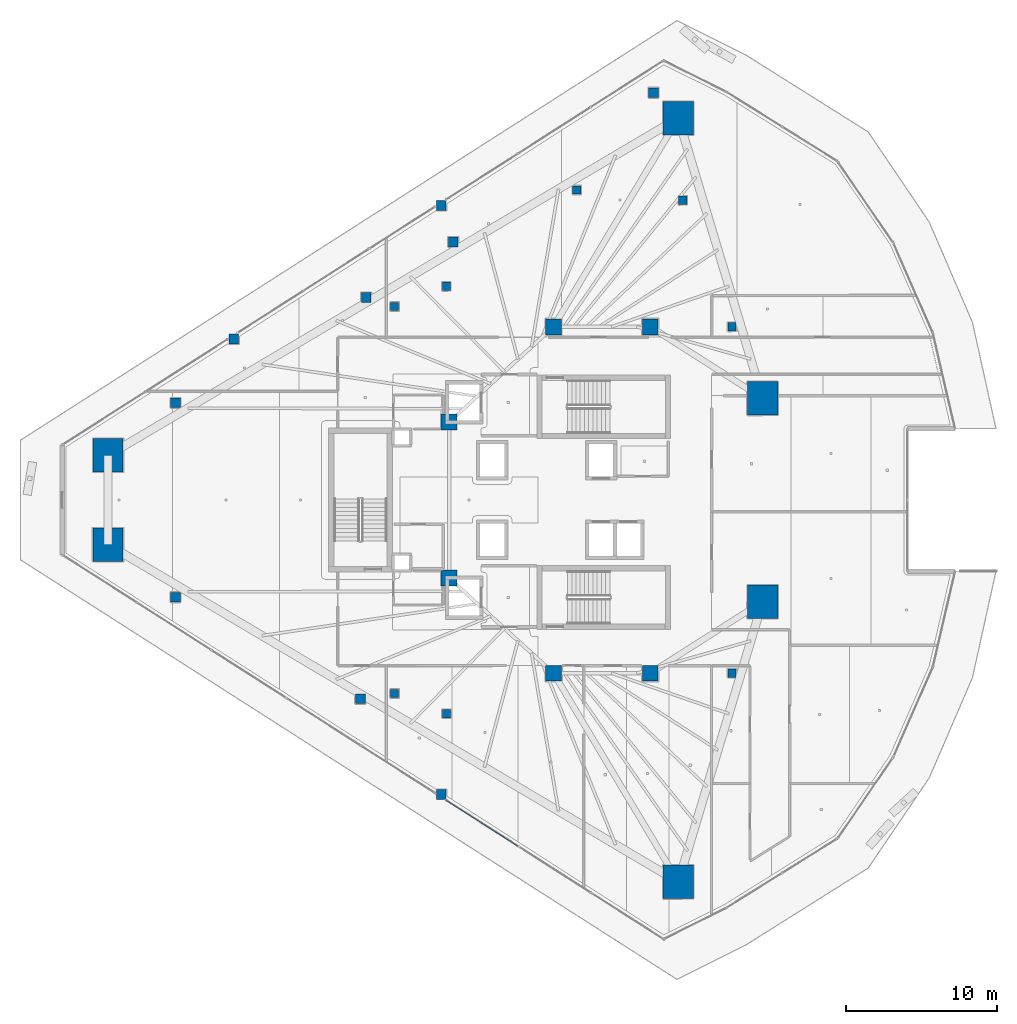
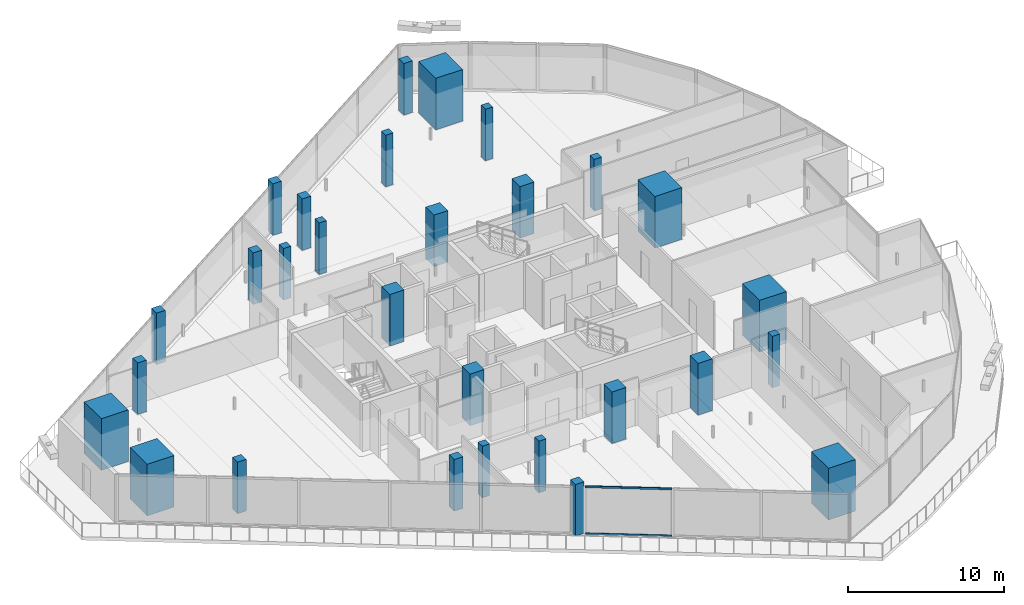
# One storey, part 1 of 36: 29 columns, 2 members, 1 element without a shape of its own.
"""IFC4 building model written with IfcOpenShell, lengths in metres."""

from ifc_helpers import new_model, si_unit, direction, frame, origin, origin_2d, place, context, subcontext, project, spatial, rectangle, hollow_rectangle, extrude, material, layer, layer_set, material_profile, profile_set, type_object, element, aggregate, save


model = new_model("IFC4")

# Units and contexts
model_context = context("Model", 3, precision=1e-05, world=origin(), true_north=direction((0.0, 1.0)))
body_context = subcontext(model_context, "Body", "Model", "MODEL_VIEW")
ifc_project = project(units=[si_unit("LENGTHUNIT", "METRE"), si_unit("AREAUNIT", "SQUARE_METRE"), si_unit("VOLUMEUNIT", "CUBIC_METRE"), si_unit("PLANEANGLEUNIT", "RADIAN"), si_unit("MASSUNIT", "GRAM", prefix="KILO")], contexts=[model_context])

# Site, building, storey
site_placement = place(None, origin())
site = spatial("IfcSite", under=ifc_project, at=site_placement, CompositionType="ELEMENT")
building_placement = place(site_placement, origin())
building = spatial("IfcBuilding", under=site, at=building_placement, Name="Qorvath Tower", CompositionType="ELEMENT")
storey_placement = place(building_placement, frame((0.0, 0.0, 170.550048828125)))
storey = spatial("IfcBuildingStorey", under=building, at=storey_placement, Name="L39", CompositionType="ELEMENT", Elevation=170.550048828125)

# Columns
ifc_material_1 = material(Name="Concrete C70/85", Category="concrete")
ifc_material_profile_1 = material_profile(ifc_material_1, rectangle(XDim=2.0, YDim=2.199951171875, at=origin_2d()), Name="MC 2200x2000")
ifc_profile_set_1 = profile_set([ifc_material_profile_1], Name="Concrete C70/85")
column_type_1 = type_object("IfcColumnType", Name="COL-MC2", PredefinedType="COLUMN", material=ifc_profile_set_1)
for number, where, z_axis, x_axis, name in (
    (1, (-53.04931640625, 2.95068359375, 0.0), (0.0, 0.0, 1.0), (1.0, 0.0, 0.0), "Composite Mega-Column MC1 L39"),
    (2, (-53.04931640625, -2.95068359375, 0.0), (0.0, 0.0, 1.0), (1.0, 0.0, 0.0), "Composite Mega-Column MC2 L39"),
    (3, (-15.34423828125, -25.24609375, 0.0), (0.0, 0.0, 1.0), (1.0, 0.0, 0.0), "Composite Mega-Column MC3 L39"),
    (4, (-9.770263671875, -6.721435546875, 0.0), (0.0, 0.0, 1.0), (1.0, 0.0, 0.0), "Composite Mega-Column MC4 L39"),
    (5, (-9.770263671875, 6.721435546875, 0.0), (0.0, 0.0, 1.0), (1.0, 0.0, 0.0), "Composite Mega-Column MC5 L39"),
    (6, (-15.34423828125, 25.24609375, 0.0), (0.0, 0.0, 1.0), (1.0, 0.0, 0.0), "Composite Mega-Column MC6 L39"),
):
    element("IfcColumn", number, at=place(storey_placement, frame(where, z_axis=z_axis, x_axis=x_axis)), inside=storey, type_object=column_type_1, Name=name, PredefinedType="COLUMN", context=body_context, shape_type="SweptSolid", body=[
        extrude(rectangle(XDim=2.0, YDim=2.199951171875, at=origin_2d()), origin(), (0.0, 0.0, 1.0), 4.050048828125),
    ])
ifc_material_2 = material(Name="Concrete C60/75", Category="concrete")
ifc_material_profile_2 = material_profile(ifc_material_2, rectangle(XDim=1.050048828125, YDim=1.050048828125, at=origin_2d()), Name="RC 1050x1050")
ifc_profile_set_2 = profile_set([ifc_material_profile_2], Name="Concrete C60/75")
column_type_2 = type_object("IfcColumnType", Name="COL-RC2", PredefinedType="COLUMN", material=ifc_profile_set_2)
for number, where, z_axis, x_axis, name in (
    (7, (-23.60009765625, 11.449951171875, 0.0), (0.0, 0.0, 1.0), (1.0, 0.0, 0.0), "Core Spine Column CC1 L39"),
    (8, (-17.199951171875, 11.449951171875, 0.0), (0.0, 0.0, 1.0), (1.0, 0.0, 0.0), "Core Spine Column CC2 L39"),
    (9, (-17.199951171875, -11.449951171875, 0.0), (0.0, 0.0, 1.0), (1.0, 0.0, 0.0), "Core Spine Column CC3 L39"),
    (10, (-23.60009765625, -11.449951171875, 0.0), (0.0, 0.0, 1.0), (1.0, 0.0, 0.0), "Core Spine Column CC4 L39"),
    (11, (-30.5, 5.14990234375, 0.0), (0.0, 0.0, 1.0), (1.0, 0.0, 0.0), "Core Spine Column CC5 L39"),
    (12, (-30.5, -5.14990234375, 0.0), (0.0, 0.0, 1.0), (1.0, 0.0, 0.0), "Core Spine Column CC6 L39"),
):
    element("IfcColumn", number, at=place(storey_placement, frame(where, z_axis=z_axis, x_axis=x_axis)), inside=storey, type_object=column_type_2, Name=name, PredefinedType="COLUMN", context=body_context, shape_type="SweptSolid", body=[
        extrude(rectangle(XDim=1.050048828125, YDim=1.050048828125, at=origin_2d()), origin(), (0.0, 0.0, 1.0), 4.050048828125),
    ])
ifc_material_3 = material(Name="Concrete C45/55", Category="concrete")
ifc_material_profile_3 = material_profile(ifc_material_3, rectangle(XDim=0.64990234375, YDim=0.64990234375, at=origin_2d()), Name="RC 650x650")
ifc_profile_set_3 = profile_set([ifc_material_profile_3], Name="Concrete C45/55")
column_type_3 = type_object("IfcColumnType", Name="COL-RC6", PredefinedType="COLUMN", material=ifc_profile_set_3)
for number, where, z_axis, x_axis, name in (
    (13, (-31.01611328125, 19.46044921875, 0.0), (0.0, 0.0, 1.0), (1.0, 0.0, 0.0), "Loggia Frame Pier Column LGD1 L39"),
    (14, (-31.01611328125, -19.46044921875, 0.0), (0.0, 0.0, 1.0), (1.0, 0.0, 0.0), "Loggia Frame Pier Column LGD2 L39"),
    (15, (-44.736328125, 10.65234375, 0.0), (0.0, 0.0, 1.0), (1.0, 0.0, 0.0), "Loggia Frame Pier Column LGD3 L39"),
    (16, (-48.578369140625, 6.424560546875, 0.0), (0.0, 0.0, 1.0), (1.0, 0.0, 0.0), "Loggia Frame Pier Column LGE1 L39"),
    (17, (-48.578369140625, -6.424560546875, 0.0), (0.0, 0.0, 1.0), (1.0, 0.0, 0.0), "Loggia Frame Pier Column LGE2 L39"),
    (18, (-16.981201171875, 26.92919921875, 0.0), (0.0, 0.0, 1.0), (1.0, 0.0, 0.0), "Loggia Frame Pier Column LGE3 L39"),
    (19, (-35.980712890625, 13.380859375, 0.0), (0.0, 0.0, 1.0), (1.0, 0.0, 0.0), "Loggia Frame Pier Column LGF1 L39"),
    (20, (-36.36474609375, -13.135498046875, 0.0), (0.0, 0.0, 1.0), (1.0, 0.0, 0.0), "Loggia Frame Pier Column LGF2 L39"),
    (21, (-30.224853515625, 17.0595703125, 0.0), (0.0, 0.0, 1.0), (1.0, 0.0, 0.0), "Loggia Frame Pier Column LGF3 L39"),
):
    element("IfcColumn", number, at=place(storey_placement, frame(where, z_axis=z_axis, x_axis=x_axis)), inside=storey, type_object=column_type_3, Name=name, PredefinedType="COLUMN", context=body_context, shape_type="SweptSolid", body=[
        extrude(rectangle(XDim=0.64990234375, YDim=0.64990234375, at=origin_2d()), origin(), (0.0, 0.0, 1.0), 4.050048828125),
    ])
ifc_material_4 = material(Name="Concrete C45/55", Category="concrete")
ifc_material_profile_4 = material_profile(ifc_material_4, rectangle(XDim=0.550048828125, YDim=0.550048828125, at=origin_2d()), Name="RC 550x550")
ifc_profile_set_4 = profile_set([ifc_material_profile_4], Name="Concrete C45/55")
column_type_4 = type_object("IfcColumnType", Name="COL-RC7", PredefinedType="COLUMN", material=ifc_profile_set_4)
for number, where, z_axis, x_axis, name in (
    (22, (-34.104248046875, 12.79248046875, 0.0), (0.0, 0.0, 1.0), (1.0, 0.0, 0.0), "Loggia Frame Pier Column LGG1 L39"),
    (23, (-34.104248046875, -12.79248046875, 0.0), (0.0, 0.0, 1.0), (1.0, 0.0, 0.0), "Loggia Frame Pier Column LGG2 L39"),
    (24, (-22.05322265625, 20.494873046875, 0.0), (0.0, 0.0, 1.0), (1.0, 0.0, 0.0), "Loggia Frame Pier Column LGG3 L39"),
    (25, (-30.67724609375, 14.124267578125, 0.0), (0.0, 0.0, 1.0), (1.0, 0.0, 0.0), "Loggia Frame Pier Column LGH1 L39"),
    (26, (-30.67724609375, -14.124267578125, 0.0), (0.0, 0.0, 1.0), (1.0, 0.0, 0.0), "Loggia Frame Pier Column LGH2 L39"),
    (27, (-15.046142578125, 19.818115234375, 0.0), (0.0, 0.0, 1.0), (1.0, 0.0, 0.0), "Loggia Frame Pier Column LGH3 L39"),
    (28, (-11.800048828125, -11.449951171875, 0.0), (0.0, 0.0, 1.0), (1.0, 0.0, 0.0), "Central Slot Jamb Column SC1 L39"),
    (29, (-11.800048828125, 11.449951171875, 0.0), (0.0, 0.0, 1.0), (1.0, 0.0, 0.0), "Central Slot Jamb Column SC2 L39"),
):
    element("IfcColumn", number, at=place(storey_placement, frame(where, z_axis=z_axis, x_axis=x_axis)), inside=storey, type_object=column_type_4, Name=name, PredefinedType="COLUMN", context=body_context, shape_type="SweptSolid", body=[
        extrude(rectangle(XDim=0.550048828125, YDim=0.550048828125, at=origin_2d()), origin(), (0.0, 0.0, 1.0), 4.050048828125),
    ])

# Curtain wall, members
ifc_material_5 = material(Name="Anodised aluminium and triple low-E glass", Category="aluminium")
ifc_layer = layer(ifc_material_5, 0.179931640625)
ifc_layer_set = layer_set([ifc_layer], Name="CW-SYS-3")
curtain_wall_type = type_object("IfcCurtainWallType", Name="CW-SYS-3", PredefinedType="NOTDEFINED", material=ifc_layer_set)
curtain_wall_placement = place(storey_placement, origin())
curtain_wall = element("IfcCurtainWall", 30, at=curtain_wall_placement, inside=storey, type_object=curtain_wall_type, Name="Curtain Wall CW-3 CW-T-L39-2.2", PredefinedType="NOTDEFINED")
ifc_material_6 = material(Name="Anodised aluminium 6063-T6", Category="aluminium")
ifc_material_profile_5 = material_profile(ifc_material_6, hollow_rectangle(XDim=0.06494140625, YDim=0.159912109375, WallThickness=0.00341796875, InnerFilletRadius=0.00341796875, OuterFilletRadius=0.007080078125, at=origin_2d()), Name="CWT 160x65")
ifc_profile_set_5 = profile_set([ifc_material_profile_5], Name="Anodised aluminium 6063-T6")
member_type = type_object("IfcMemberType", Name="CWT-160", PredefinedType="USERDEFINED", material=ifc_profile_set_5)
member_1_placement = place(storey_placement, frame((-30.679443359375, -19.865234375, 0.032470703125), z_axis=(0.842596345477, -0.538545632783, 0.0), x_axis=(0.538545632783, 0.842596345477, 0.0)))
member_1 = element("IfcMember", 31, at=member_1_placement, type_object=member_type, Name="CW-3 transom 1.1", ObjectType="TRANSOM", PredefinedType="USERDEFINED", context=body_context, shape_type="SweptSolid", body=[
    extrude(hollow_rectangle(XDim=0.06494140625, YDim=0.159912109375, WallThickness=0.00341796875, InnerFilletRadius=0.00341796875, OuterFilletRadius=0.007080078125, at=origin_2d()), origin(), (0.0, 0.0, 1.0), 5.60546875),
])
member_2_placement = place(storey_placement, frame((-30.679443359375, -19.865234375, 3.717529296875), z_axis=(0.842596345477, -0.538545632783, 0.0), x_axis=(0.538545632783, 0.842596345477, 0.0)))
member_2 = element("IfcMember", 32, at=member_2_placement, type_object=member_type, Name="CW-3 transom 1.2", ObjectType="TRANSOM", PredefinedType="USERDEFINED", context=body_context, shape_type="SweptSolid", body=[
    extrude(hollow_rectangle(XDim=0.06494140625, YDim=0.159912109375, WallThickness=0.00341796875, InnerFilletRadius=0.00341796875, OuterFilletRadius=0.007080078125, at=origin_2d()), origin(), (0.0, 0.0, 1.0), 5.60546875),
])
aggregate(curtain_wall, [member_1, member_2])

save(model, "model.ifc")
